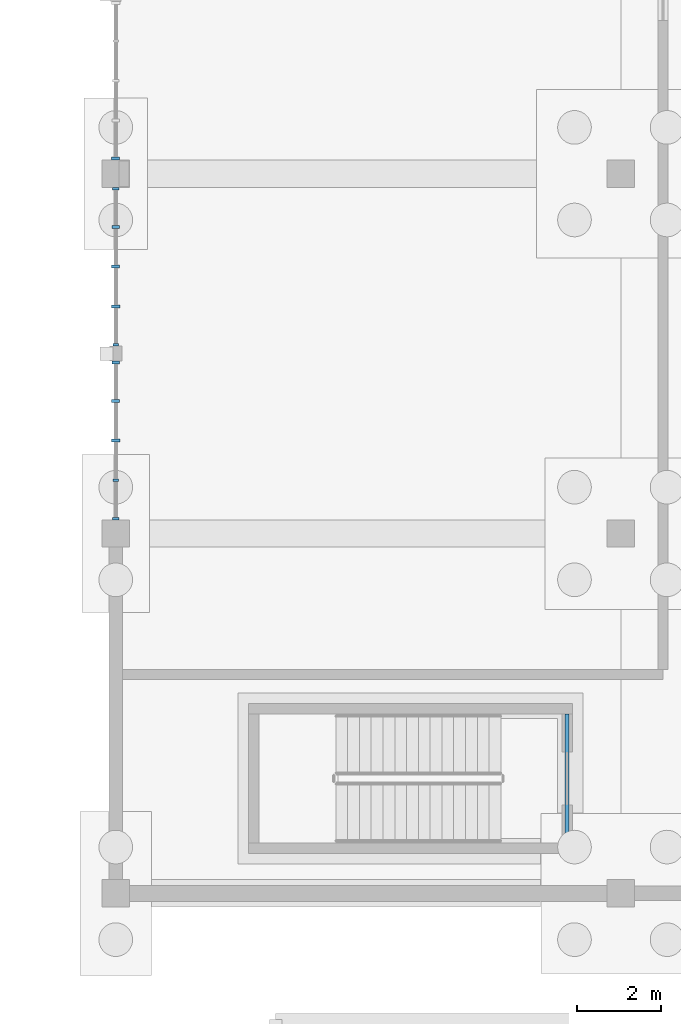
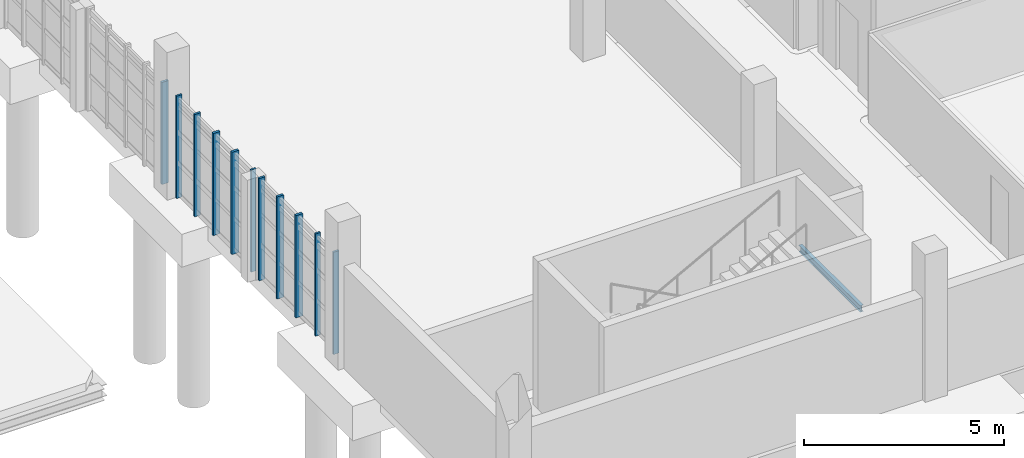
# One storey, part 43 of 125: 11 members, 1 beam, 3 elements without a shape of their own.
"""IFC4 building model written with IfcOpenShell, lengths in metres."""

from ifc_helpers import new_model, si_unit, direction, frame, origin, origin_2d, place, context, subcontext, project, spatial, rectangle, i_section, extrude, material, material_profile, profile_set, type_object, element, aggregate, save


model = new_model("IFC4")

# Units and contexts
model_context = context("Model", 3, precision=1e-05, world=origin(), true_north=direction((0.0, 1.0)))
body_context = subcontext(model_context, "Body", "Model", "MODEL_VIEW")
ifc_project = project(units=[si_unit("LENGTHUNIT", "METRE"), si_unit("AREAUNIT", "SQUARE_METRE"), si_unit("VOLUMEUNIT", "CUBIC_METRE"), si_unit("PLANEANGLEUNIT", "RADIAN"), si_unit("MASSUNIT", "GRAM", prefix="KILO")], contexts=[model_context])

# Site, building, storey
site_placement = place(None, origin())
site = spatial("IfcSite", under=ifc_project, at=site_placement, CompositionType="ELEMENT")
building_placement = place(site_placement, origin())
building = spatial("IfcBuilding", under=site, at=building_placement, Name="Serraforn Aerial Cableway Station", CompositionType="ELEMENT")
storey_placement = place(building_placement, frame((0.0, 0.0, 4.5)))
storey = spatial("IfcBuildingStorey", under=building, at=storey_placement, Name="L01", CompositionType="ELEMENT", Elevation=4.5)

# Beam
ifc_material_1 = material(Name="Steel S355JR", Category="steel")
ifc_material_profile_1 = material_profile(ifc_material_1, i_section(OverallWidth=0.10009765625, OverallDepth=0.199951171875, WebThickness=0.005615234375, FlangeThickness=0.008544921875, FilletRadius=0.011962890625, at=origin_2d()), Name="IPE 200")
ifc_profile_set_1 = profile_set([ifc_material_profile_1], Name="Steel S355JR")
beam_type = type_object("IfcBeamType", Name="BM-ST-IPE200", PredefinedType="LINTEL", material=ifc_profile_set_1)
beam_placement = place(storey_placement, frame((154.72509765625, 49.860107421875, 2.27490234375), z_axis=(0.0, -1.0, 0.0), x_axis=(1.0, 0.0, 0.0)))
element("IfcBeam", 1, at=beam_placement, inside=storey, type_object=beam_type, Name="Stair Core Door Lintel D-S35", PredefinedType="LINTEL", context=body_context, shape_type="SweptSolid", body=[
    extrude(i_section(OverallWidth=0.10009765625, OverallDepth=0.199951171875, WebThickness=0.005615234375, FlangeThickness=0.008544921875, FilletRadius=0.011962890625, at=origin_2d()), origin(), (0.0, 0.0, 1.0), 3.06005859375),
])

# Curtain wall, member
ifc_material_2 = material(Name="Anodised bronze unitised curtain wall")
curtain_wall_type_1 = type_object("IfcCurtainWallType", Name="CW-SYS-3", PredefinedType="USERDEFINED", material=ifc_material_2)
curtain_wall_1_placement = place(storey_placement, origin())
curtain_wall_1 = element("IfcCurtainWall", 2, at=curtain_wall_1_placement, inside=storey, type_object=curtain_wall_type_1, Name="Unitised Curtain Wall CW-EG-L01-W2A", ObjectType="UNITISED CURTAIN WALL", PredefinedType="USERDEFINED")
ifc_material_3 = material(Name="Anodised bronze extruded aluminium", Category="aluminium")
ifc_material_profile_2 = material_profile(ifc_material_3, rectangle(XDim=0.054931640625, YDim=0.139892578125, at=origin_2d()), Name="CW MULLION 55x140")
ifc_profile_set_2 = profile_set([ifc_material_profile_2], Name="Anodised bronze extruded aluminium")
member_type_1 = type_object("IfcMemberType", Name="CW-MUL-1", PredefinedType="MULLION", material=ifc_profile_set_2)
member_1_placement = place(storey_placement, frame((144.0, 58.632568359375, 0.0), z_axis=(0.0, 0.0, 1.0), x_axis=(0.0, -1.0, 0.0)))
member_1 = element("IfcMember", 3, at=member_1_placement, type_object=member_type_1, Name="Curtain Wall Mullion CW-EG-L01-W2A-M5", PredefinedType="MULLION", context=body_context, shape_type="SweptSolid", body=[
    extrude(rectangle(XDim=0.054931640625, YDim=0.139892578125, at=origin_2d()), origin(), (0.0, 0.0, 1.0), 3.1201171875),
])

curtain_wall_type_2 = type_object("IfcCurtainWallType", Name="CW-SYS-4", PredefinedType="USERDEFINED", material=ifc_material_2)
curtain_wall_2_placement = place(storey_placement, origin())
curtain_wall_2 = element("IfcCurtainWall", 4, at=curtain_wall_2_placement, inside=storey, type_object=curtain_wall_type_2, Name="Unitised Curtain Wall CW-EG-L01-W2B", ObjectType="UNITISED CURTAIN WALL", PredefinedType="USERDEFINED")
member_2_placement = place(storey_placement, frame((144.0, 55.416015625, 0.0), z_axis=(0.0, 0.0, 1.0), x_axis=(0.0, -1.0, 0.0)))
member_2 = element("IfcMember", 5, at=member_2_placement, type_object=member_type_1, Name="Curtain Wall Mullion CW-EG-L01-W2B-M4", PredefinedType="MULLION", context=body_context, shape_type="SweptSolid", body=[
    extrude(rectangle(XDim=0.054931640625, YDim=0.139892578125, at=origin_2d()), origin(), (0.0, 0.0, 1.0), 3.1201171875),
])

# Member
ifc_material_profile_3 = material_profile(ifc_material_3, rectangle(XDim=0.06005859375, YDim=0.159912109375, at=origin_2d()), Name="CW MULLION 60x160")
ifc_profile_set_3 = profile_set([ifc_material_profile_3], Name="Anodised bronze extruded aluminium")
member_type_2 = type_object("IfcMemberType", Name="CW-MUL-2", PredefinedType="MULLION", material=ifc_profile_set_3)
member_3_placement = place(storey_placement, frame((144.0, 62.346923828125, 0.0), z_axis=(0.0, 0.0, 1.0), x_axis=(0.0, -1.0, 0.0)))
member_3 = element("IfcMember", 6, at=member_3_placement, type_object=member_type_2, Name="Curtain Wall Mullion CW-EG-L01-W2A-M1", PredefinedType="MULLION", context=body_context, shape_type="SweptSolid", body=[
    extrude(rectangle(XDim=0.06005859375, YDim=0.159912109375, at=origin_2d()), origin(), (0.0, 0.0, 1.0), 3.1201171875),
])

member_4_placement = place(storey_placement, frame((144.0, 54.5029296875, 0.0), z_axis=(0.0, 0.0, 1.0), x_axis=(0.0, -1.0, 0.0)))
member_4 = element("IfcMember", 7, at=member_4_placement, type_object=member_type_2, Name="Curtain Wall Mullion CW-EG-L01-W2B-M5", PredefinedType="MULLION", context=body_context, shape_type="SweptSolid", body=[
    extrude(rectangle(XDim=0.06005859375, YDim=0.159912109375, at=origin_2d()), origin(), (0.0, 0.0, 1.0), 3.1201171875),
])

ifc_material_profile_4 = material_profile(ifc_material_3, rectangle(XDim=0.06494140625, YDim=0.175048828125, at=origin_2d()), Name="CW MULLION 65x175")
ifc_profile_set_4 = profile_set([ifc_material_profile_4], Name="Anodised bronze extruded aluminium")
member_type_3 = type_object("IfcMemberType", Name="CW-MUL-3", PredefinedType="MULLION", material=ifc_profile_set_4)
member_5_placement = place(storey_placement, frame((144.0, 61.43408203125, 0.0), z_axis=(0.0, 0.0, 1.0), x_axis=(0.0, -1.0, 0.0)))
member_5 = element("IfcMember", 8, at=member_5_placement, type_object=member_type_3, Name="Curtain Wall Mullion CW-EG-L01-W2A-M2", PredefinedType="MULLION", context=body_context, shape_type="SweptSolid", body=[
    extrude(rectangle(XDim=0.06494140625, YDim=0.175048828125, at=origin_2d()), origin(), (0.0, 0.0, 1.0), 3.1201171875),
])

member_6_placement = place(storey_placement, frame((144.0, 58.21240234375, 0.0), z_axis=(0.0, 0.0, 1.0), x_axis=(0.0, -1.0, 0.0)))
member_6 = element("IfcMember", 9, at=member_6_placement, type_object=member_type_3, Name="Curtain Wall Mullion CW-EG-L01-W2B-M1", PredefinedType="MULLION", context=body_context, shape_type="SweptSolid", body=[
    extrude(rectangle(XDim=0.06494140625, YDim=0.175048828125, at=origin_2d()), origin(), (0.0, 0.0, 1.0), 3.1201171875),
])

ifc_material_profile_5 = material_profile(ifc_material_3, rectangle(XDim=0.070068359375, YDim=0.18994140625, at=origin_2d()), Name="CW MULLION 70x190")
ifc_profile_set_5 = profile_set([ifc_material_profile_5], Name="Anodised bronze extruded aluminium")
member_type_4 = type_object("IfcMemberType", Name="CW-MUL-4", PredefinedType="MULLION", material=ifc_profile_set_5)
member_7_placement = place(storey_placement, frame((144.0, 60.490966796875, 0.0), z_axis=(0.0, 0.0, 1.0), x_axis=(0.0, -1.0, 0.0)))
member_7 = element("IfcMember", 10, at=member_7_placement, type_object=member_type_4, Name="Curtain Wall Mullion CW-EG-L01-W2A-M3", PredefinedType="MULLION", context=body_context, shape_type="SweptSolid", body=[
    extrude(rectangle(XDim=0.070068359375, YDim=0.18994140625, at=origin_2d()), origin(), (0.0, 0.0, 1.0), 3.1201171875),
])

member_8_placement = place(storey_placement, frame((144.0, 57.302001953125, 0.0), z_axis=(0.0, 0.0, 1.0), x_axis=(0.0, -1.0, 0.0)))
member_8 = element("IfcMember", 11, at=member_8_placement, type_object=member_type_4, Name="Curtain Wall Mullion CW-EG-L01-W2B-M2", PredefinedType="MULLION", context=body_context, shape_type="SweptSolid", body=[
    extrude(rectangle(XDim=0.070068359375, YDim=0.18994140625, at=origin_2d()), origin(), (0.0, 0.0, 1.0), 3.1201171875),
])

# Curtain wall, member
curtain_wall_type_3 = type_object("IfcCurtainWallType", Name="CW-SYS-6", PredefinedType="USERDEFINED", material=ifc_material_2)
curtain_wall_3_placement = place(storey_placement, origin())
curtain_wall_3 = element("IfcCurtainWall", 12, at=curtain_wall_3_placement, inside=storey, type_object=curtain_wall_type_3, Name="Unitised Curtain Wall CW-EG-L01-W3B", ObjectType="UNITISED CURTAIN WALL", PredefinedType="USERDEFINED")
member_9_placement = place(storey_placement, frame((144.0, 63.05810546875, 0.0), z_axis=(0.0, 0.0, 1.0), x_axis=(0.0, -1.0, 0.0)))
member_9 = element("IfcMember", 13, at=member_9_placement, type_object=member_type_4, Name="Curtain Wall Mullion CW-EG-L01-W3B-M5", PredefinedType="MULLION", context=body_context, shape_type="SweptSolid", body=[
    extrude(rectangle(XDim=0.070068359375, YDim=0.18994140625, at=origin_2d()), origin(), (0.0, 0.0, 1.0), 3.1201171875),
])
aggregate(curtain_wall_3, [member_9])

# Member
ifc_material_profile_6 = material_profile(ifc_material_3, rectangle(XDim=0.074951171875, YDim=0.199951171875, at=origin_2d()), Name="CW MULLION 75x200")
ifc_profile_set_6 = profile_set([ifc_material_profile_6], Name="Anodised bronze extruded aluminium")
member_type_5 = type_object("IfcMemberType", Name="CW-MUL-5", PredefinedType="MULLION", material=ifc_profile_set_6)
member_10_placement = place(storey_placement, frame((144.0, 59.548095703125, 0.0), z_axis=(0.0, 0.0, 1.0), x_axis=(0.0, -1.0, 0.0)))
member_10 = element("IfcMember", 14, at=member_10_placement, type_object=member_type_5, Name="Curtain Wall Mullion CW-EG-L01-W2A-M4", PredefinedType="MULLION", context=body_context, shape_type="SweptSolid", body=[
    extrude(rectangle(XDim=0.074951171875, YDim=0.199951171875, at=origin_2d()), origin(), (0.0, 0.0, 1.0), 3.1201171875),
])

aggregate(curtain_wall_1, [member_3, member_5, member_7, member_10, member_1])

member_11_placement = place(storey_placement, frame((144.0, 56.35888671875, 0.0), z_axis=(0.0, 0.0, 1.0), x_axis=(0.0, -1.0, 0.0)))
member_11 = element("IfcMember", 15, at=member_11_placement, type_object=member_type_5, Name="Curtain Wall Mullion CW-EG-L01-W2B-M3", PredefinedType="MULLION", context=body_context, shape_type="SweptSolid", body=[
    extrude(rectangle(XDim=0.074951171875, YDim=0.199951171875, at=origin_2d()), origin(), (0.0, 0.0, 1.0), 3.1201171875),
])

aggregate(curtain_wall_2, [member_6, member_8, member_11, member_2, member_4])

save(model, "model.ifc")
